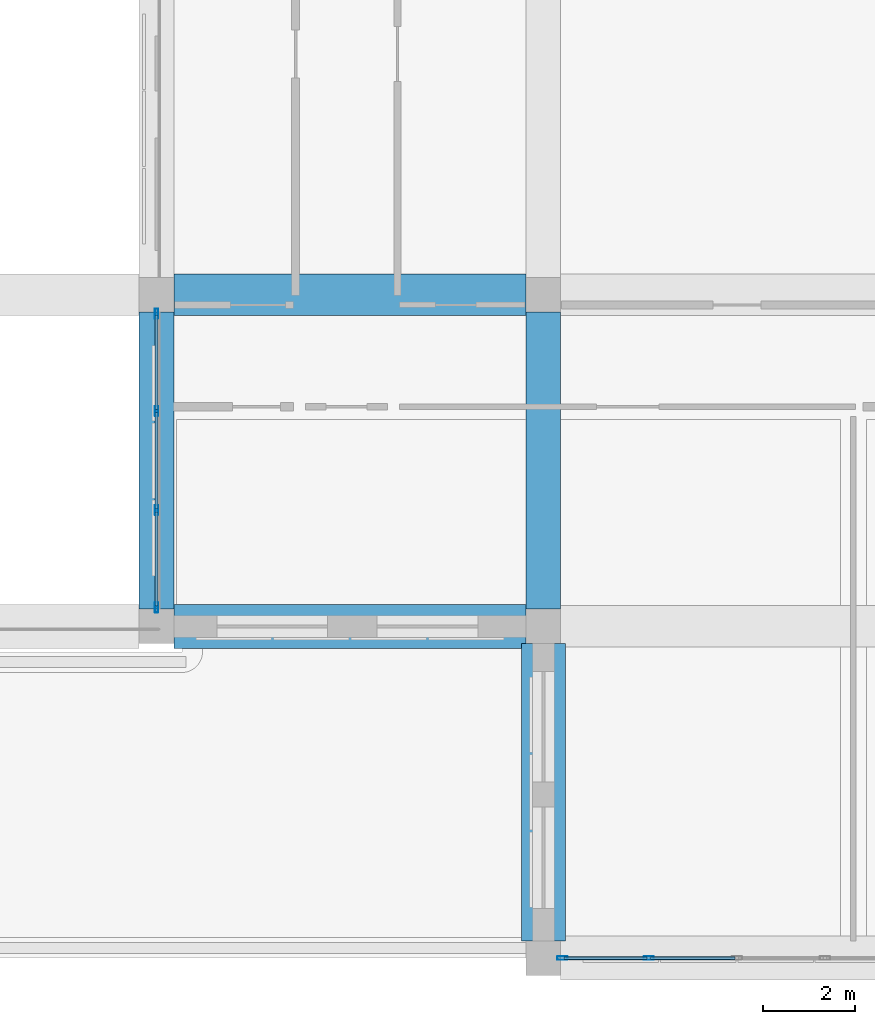
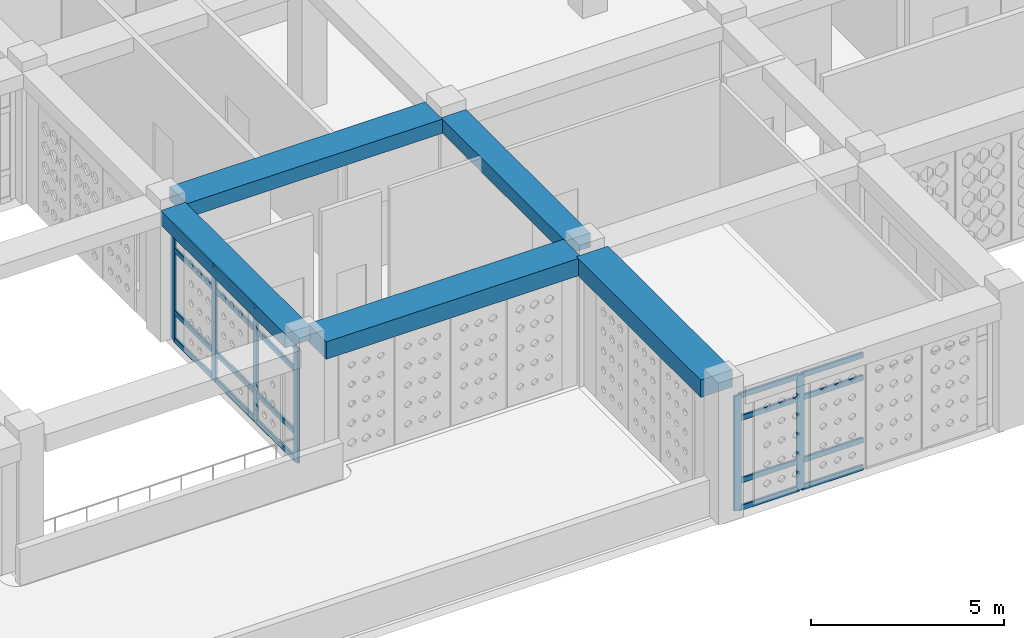
# One storey, part 14 of 111: 26 members, 5 beams, 2 elements without a shape of their own.
"""IFC4 building model written with IfcOpenShell, lengths in metres."""

from ifc_helpers import new_model, si_unit, derived_unit, direction, frame, origin, origin_2d, place, context, subcontext, project, spatial, rectangle, hollow_rectangle, extrude, material, material_profile, profile_set, type_object, element, aggregate, save


model = new_model("IFC4")

# Units and contexts
model_context = context("Model", 3, precision=1e-05, world=origin(), true_north=direction((0.0, 1.0)))
body_context = subcontext(model_context, "Body", "Model", "MODEL_VIEW")
ifc_project = project(units=[si_unit("LENGTHUNIT", "METRE"), si_unit("AREAUNIT", "SQUARE_METRE"), si_unit("VOLUMEUNIT", "CUBIC_METRE"), si_unit("PLANEANGLEUNIT", "RADIAN"), si_unit("MASSUNIT", "GRAM", prefix="KILO"), derived_unit("THERMALTRANSMITTANCEUNIT", [(si_unit("POWERUNIT", "WATT"), 1), (si_unit("LENGTHUNIT", "METRE"), -2), (si_unit("THERMODYNAMICTEMPERATUREUNIT", "KELVIN"), -1)])], contexts=[model_context])

# Site, building, storey
site_placement = place(None, origin())
site = spatial("IfcSite", under=ifc_project, at=site_placement, CompositionType="ELEMENT")
building_placement = place(site_placement, origin())
building = spatial("IfcBuilding", under=site, at=building_placement, Name="Veybourne Emporium", CompositionType="ELEMENT")
storey_placement = place(building_placement, frame((0.0, 0.0, 9.89990234375)))
storey = spatial("IfcBuildingStorey", under=building, at=storey_placement, Name="L02", CompositionType="ELEMENT", Elevation=9.89990234375)

# Curtain wall, members
ifc_material_1 = material(Name="Patinated Architectural Bronze", Category="bronze")
curtain_wall_type_1 = type_object("IfcCurtainWallType", Name="CWSystem_CWS-17", PredefinedType="NOTDEFINED", material=ifc_material_1)
curtain_wall_1_placement = place(storey_placement, origin())
curtain_wall_1 = element("IfcCurtainWall", 1, at=curtain_wall_1_placement, inside=storey, type_object=curtain_wall_type_1, Name="L02 bronze glazed curtain wall CWS-17 (039)", PredefinedType="NOTDEFINED")
ifc_material_profile_1 = material_profile(ifc_material_1, hollow_rectangle(XDim=0.072021484375, YDim=0.22509765625, WallThickness=0.0048828125, InnerFilletRadius=0.007568359375, OuterFilletRadius=0.012451171875, at=origin_2d()), Name="CWM 72x225x5")
ifc_profile_set_1 = profile_set([ifc_material_profile_1], Name="Patinated Architectural Bronze")
member_type_1 = type_object("IfcMemberType", Name="CWMullion_CW-M1", PredefinedType="MULLION", material=ifc_profile_set_1)
member_1_placement = place(storey_placement, frame((77.887451171875, 0.0, 0.0), z_axis=(0.0, 0.0, 1.0), x_axis=(0.0, -1.0, 0.0)))
member_1 = element("IfcMember", 2, at=member_1_placement, type_object=member_type_1, Name="CWS-17 mullion 4", PredefinedType="MULLION", context=body_context, shape_type="SweptSolid", body=[
    extrude(hollow_rectangle(XDim=0.072021484375, YDim=0.22509765625, WallThickness=0.0048828125, InnerFilletRadius=0.007568359375, OuterFilletRadius=0.012451171875, at=origin_2d()), origin(), (0.0, 0.0, 1.0), 3.630126953125),
])
member_2_placement = place(storey_placement, frame((76.010986328125, 0.0, 0.0), z_axis=(0.0, 0.0, 1.0), x_axis=(0.0, -1.0, 0.0)))
member_2 = element("IfcMember", 3, at=member_2_placement, type_object=member_type_1, Name="CWS-17 mullion 5", PredefinedType="MULLION", context=body_context, shape_type="SweptSolid", body=[
    extrude(hollow_rectangle(XDim=0.072021484375, YDim=0.22509765625, WallThickness=0.0048828125, InnerFilletRadius=0.007568359375, OuterFilletRadius=0.012451171875, at=origin_2d()), origin(), (0.0, 0.0, 1.0), 3.630126953125),
])

curtain_wall_type_2 = type_object("IfcCurtainWallType", Name="CWSystem_CWS-16", PredefinedType="NOTDEFINED", material=ifc_material_1)
curtain_wall_2_placement = place(storey_placement, origin())
curtain_wall_2 = element("IfcCurtainWall", 4, at=curtain_wall_2_placement, inside=storey, type_object=curtain_wall_type_2, Name="L02 bronze glazed curtain wall CWS-16 (036)", PredefinedType="NOTDEFINED")
ifc_material_profile_2 = material_profile(ifc_material_1, hollow_rectangle(XDim=0.070068359375, YDim=0.219970703125, WallThickness=0.0048828125, InnerFilletRadius=0.007568359375, OuterFilletRadius=0.012451171875, at=origin_2d()), Name="CWM 70x220x5")
ifc_profile_set_2 = profile_set([ifc_material_profile_2], Name="Patinated Architectural Bronze")
member_type_2 = type_object("IfcMemberType", Name="CWMullion_CW-M4", PredefinedType="MULLION", material=ifc_profile_set_2)
member_3_placement = place(storey_placement, frame((67.199951171875, 7.610107421875, 0.0), z_axis=(0.0, 0.0, 1.0), x_axis=(-1.0, 0.0, 0.0)))
member_3 = element("IfcMember", 5, at=member_3_placement, type_object=member_type_2, Name="CWS-16 mullion 1", PredefinedType="MULLION", context=body_context, shape_type="SweptSolid", body=[
    extrude(hollow_rectangle(XDim=0.070068359375, YDim=0.219970703125, WallThickness=0.0048828125, InnerFilletRadius=0.007568359375, OuterFilletRadius=0.012451171875, at=origin_2d()), origin(), (0.0, 0.0, 1.0), 3.630126953125),
])
member_4_placement = place(storey_placement, frame((67.199951171875, 9.72509765625, 0.0), z_axis=(0.0, 0.0, 1.0), x_axis=(-1.0, 0.0, 0.0)))
member_4 = element("IfcMember", 6, at=member_4_placement, type_object=member_type_2, Name="CWS-16 mullion 2", PredefinedType="MULLION", context=body_context, shape_type="SweptSolid", body=[
    extrude(hollow_rectangle(XDim=0.070068359375, YDim=0.219970703125, WallThickness=0.0048828125, InnerFilletRadius=0.007568359375, OuterFilletRadius=0.012451171875, at=origin_2d()), origin(), (0.0, 0.0, 1.0), 3.630126953125),
])
member_5_placement = place(storey_placement, frame((67.199951171875, 11.875, 0.0), z_axis=(0.0, 0.0, 1.0), x_axis=(-1.0, 0.0, 0.0)))
member_5 = element("IfcMember", 7, at=member_5_placement, type_object=member_type_2, Name="CWS-16 mullion 3", PredefinedType="MULLION", context=body_context, shape_type="SweptSolid", body=[
    extrude(hollow_rectangle(XDim=0.070068359375, YDim=0.219970703125, WallThickness=0.0048828125, InnerFilletRadius=0.007568359375, OuterFilletRadius=0.012451171875, at=origin_2d()), origin(), (0.0, 0.0, 1.0), 3.630126953125),
])
member_6_placement = place(storey_placement, frame((67.199951171875, 13.989990234375, 0.0), z_axis=(0.0, 0.0, 1.0), x_axis=(-1.0, 0.0, 0.0)))
member_6 = element("IfcMember", 8, at=member_6_placement, type_object=member_type_2, Name="CWS-16 mullion 4", PredefinedType="MULLION", context=body_context, shape_type="SweptSolid", body=[
    extrude(hollow_rectangle(XDim=0.070068359375, YDim=0.219970703125, WallThickness=0.0048828125, InnerFilletRadius=0.007568359375, OuterFilletRadius=0.012451171875, at=origin_2d()), origin(), (0.0, 0.0, 1.0), 3.630126953125),
])

# Member
ifc_material_profile_3 = material_profile(ifc_material_1, hollow_rectangle(XDim=0.072021484375, YDim=0.175048828125, WallThickness=0.0048828125, InnerFilletRadius=0.007568359375, OuterFilletRadius=0.012451171875, at=origin_2d()), Name="CWT 72x175x5")
ifc_profile_set_3 = profile_set([ifc_material_profile_3], Name="Patinated Architectural Bronze")
member_type_3 = type_object("IfcMemberType", Name="CWTransom_CW-T1", PredefinedType="NOTDEFINED", material=ifc_profile_set_3)
member_7_placement = place(storey_placement, frame((79.763916015625, 0.0, 0.0361328125), z_axis=(-1.0, 0.0, 0.0), x_axis=(0.0, -1.0, 0.0)))
member_7 = element("IfcMember", 9, at=member_7_placement, type_object=member_type_3, Name="CWS-17 transom 3.1", ObjectType="TRANSOM", PredefinedType="USERDEFINED", context=body_context, shape_type="SweptSolid", body=[
    extrude(hollow_rectangle(XDim=0.072021484375, YDim=0.175048828125, WallThickness=0.0048828125, InnerFilletRadius=0.007568359375, OuterFilletRadius=0.012451171875, at=origin_2d()), origin(), (0.0, 0.0, 1.0), 1.84033203125),
])

member_8_placement = place(storey_placement, frame((79.763916015625, 0.0, 0.900146484375), z_axis=(-1.0, 0.0, 0.0), x_axis=(0.0, -1.0, 0.0)))
member_8 = element("IfcMember", 10, at=member_8_placement, type_object=member_type_3, Name="CWS-17 transom 3.2", ObjectType="TRANSOM", PredefinedType="USERDEFINED", context=body_context, shape_type="SweptSolid", body=[
    extrude(hollow_rectangle(XDim=0.072021484375, YDim=0.175048828125, WallThickness=0.0048828125, InnerFilletRadius=0.007568359375, OuterFilletRadius=0.012451171875, at=origin_2d()), origin(), (0.0, 0.0, 1.0), 1.84033203125),
])

member_9_placement = place(storey_placement, frame((79.763916015625, 0.0, 2.880126953125), z_axis=(-1.0, 0.0, 0.0), x_axis=(0.0, -1.0, 0.0)))
member_9 = element("IfcMember", 11, at=member_9_placement, type_object=member_type_3, Name="CWS-17 transom 3.3", ObjectType="TRANSOM", PredefinedType="USERDEFINED", context=body_context, shape_type="SweptSolid", body=[
    extrude(hollow_rectangle(XDim=0.072021484375, YDim=0.175048828125, WallThickness=0.0048828125, InnerFilletRadius=0.007568359375, OuterFilletRadius=0.012451171875, at=origin_2d()), origin(), (0.0, 0.0, 1.0), 1.84033203125),
])

member_10_placement = place(storey_placement, frame((79.763916015625, 0.0, 3.593994140625), z_axis=(-1.0, 0.0, 0.0), x_axis=(0.0, -1.0, 0.0)))
member_10 = element("IfcMember", 12, at=member_10_placement, type_object=member_type_3, Name="CWS-17 transom 3.4", ObjectType="TRANSOM", PredefinedType="USERDEFINED", context=body_context, shape_type="SweptSolid", body=[
    extrude(hollow_rectangle(XDim=0.072021484375, YDim=0.175048828125, WallThickness=0.0048828125, InnerFilletRadius=0.007568359375, OuterFilletRadius=0.012451171875, at=origin_2d()), origin(), (0.0, 0.0, 1.0), 1.84033203125),
])

member_11_placement = place(storey_placement, frame((77.8515625, 0.0, 0.0361328125), z_axis=(-1.0, 0.0, 0.0), x_axis=(0.0, -1.0, 0.0)))
member_11 = element("IfcMember", 13, at=member_11_placement, type_object=member_type_3, Name="CWS-17 transom 4.1", ObjectType="TRANSOM", PredefinedType="USERDEFINED", context=body_context, shape_type="SweptSolid", body=[
    extrude(hollow_rectangle(XDim=0.072021484375, YDim=0.175048828125, WallThickness=0.0048828125, InnerFilletRadius=0.007568359375, OuterFilletRadius=0.012451171875, at=origin_2d()), origin(), (0.0, 0.0, 1.0), 1.804443359375),
])

member_12_placement = place(storey_placement, frame((77.8515625, 0.0, 0.900146484375), z_axis=(-1.0, 0.0, 0.0), x_axis=(0.0, -1.0, 0.0)))
member_12 = element("IfcMember", 14, at=member_12_placement, type_object=member_type_3, Name="CWS-17 transom 4.2", ObjectType="TRANSOM", PredefinedType="USERDEFINED", context=body_context, shape_type="SweptSolid", body=[
    extrude(hollow_rectangle(XDim=0.072021484375, YDim=0.175048828125, WallThickness=0.0048828125, InnerFilletRadius=0.007568359375, OuterFilletRadius=0.012451171875, at=origin_2d()), origin(), (0.0, 0.0, 1.0), 1.804443359375),
])

member_13_placement = place(storey_placement, frame((77.8515625, 0.0, 2.880126953125), z_axis=(-1.0, 0.0, 0.0), x_axis=(0.0, -1.0, 0.0)))
member_13 = element("IfcMember", 15, at=member_13_placement, type_object=member_type_3, Name="CWS-17 transom 4.3", ObjectType="TRANSOM", PredefinedType="USERDEFINED", context=body_context, shape_type="SweptSolid", body=[
    extrude(hollow_rectangle(XDim=0.072021484375, YDim=0.175048828125, WallThickness=0.0048828125, InnerFilletRadius=0.007568359375, OuterFilletRadius=0.012451171875, at=origin_2d()), origin(), (0.0, 0.0, 1.0), 1.804443359375),
])

member_14_placement = place(storey_placement, frame((77.8515625, 0.0, 3.593994140625), z_axis=(-1.0, 0.0, 0.0), x_axis=(0.0, -1.0, 0.0)))
member_14 = element("IfcMember", 16, at=member_14_placement, type_object=member_type_3, Name="CWS-17 transom 4.4", ObjectType="TRANSOM", PredefinedType="USERDEFINED", context=body_context, shape_type="SweptSolid", body=[
    extrude(hollow_rectangle(XDim=0.072021484375, YDim=0.175048828125, WallThickness=0.0048828125, InnerFilletRadius=0.007568359375, OuterFilletRadius=0.012451171875, at=origin_2d()), origin(), (0.0, 0.0, 1.0), 1.804443359375),
])

aggregate(curtain_wall_1, [member_1, member_2, member_7, member_8, member_9, member_10, member_11, member_12, member_13, member_14])

ifc_material_profile_4 = material_profile(ifc_material_1, hollow_rectangle(XDim=0.070068359375, YDim=0.169921875, WallThickness=0.0048828125, InnerFilletRadius=0.007568359375, OuterFilletRadius=0.012451171875, at=origin_2d()), Name="CWT 70x170x5")
ifc_profile_set_4 = profile_set([ifc_material_profile_4], Name="Patinated Architectural Bronze")
member_type_4 = type_object("IfcMemberType", Name="CWTransom_CW-T4", PredefinedType="NOTDEFINED", material=ifc_profile_set_4)
member_15_placement = place(storey_placement, frame((67.199951171875, 7.64501953125, 0.03515625), z_axis=(0.0, 1.0, 0.0), x_axis=(-1.0, 0.0, 0.0)))
member_15 = element("IfcMember", 17, at=member_15_placement, type_object=member_type_4, Name="CWS-16 transom 1.1", ObjectType="TRANSOM", PredefinedType="USERDEFINED", context=body_context, shape_type="SweptSolid", body=[
    extrude(hollow_rectangle(XDim=0.070068359375, YDim=0.169921875, WallThickness=0.0048828125, InnerFilletRadius=0.007568359375, OuterFilletRadius=0.012451171875, at=origin_2d()), origin(), (0.0, 0.0, 1.0), 2.044921875),
])

member_16_placement = place(storey_placement, frame((67.199951171875, 7.64501953125, 0.900146484375), z_axis=(0.0, 1.0, 0.0), x_axis=(-1.0, 0.0, 0.0)))
member_16 = element("IfcMember", 18, at=member_16_placement, type_object=member_type_4, Name="CWS-16 transom 1.2", ObjectType="TRANSOM", PredefinedType="USERDEFINED", context=body_context, shape_type="SweptSolid", body=[
    extrude(hollow_rectangle(XDim=0.070068359375, YDim=0.169921875, WallThickness=0.0048828125, InnerFilletRadius=0.007568359375, OuterFilletRadius=0.012451171875, at=origin_2d()), origin(), (0.0, 0.0, 1.0), 2.044921875),
])

member_17_placement = place(storey_placement, frame((67.199951171875, 7.64501953125, 2.880126953125), z_axis=(0.0, 1.0, 0.0), x_axis=(-1.0, 0.0, 0.0)))
member_17 = element("IfcMember", 19, at=member_17_placement, type_object=member_type_4, Name="CWS-16 transom 1.3", ObjectType="TRANSOM", PredefinedType="USERDEFINED", context=body_context, shape_type="SweptSolid", body=[
    extrude(hollow_rectangle(XDim=0.070068359375, YDim=0.169921875, WallThickness=0.0048828125, InnerFilletRadius=0.007568359375, OuterFilletRadius=0.012451171875, at=origin_2d()), origin(), (0.0, 0.0, 1.0), 2.044921875),
])

member_18_placement = place(storey_placement, frame((67.199951171875, 7.64501953125, 3.59521484375), z_axis=(0.0, 1.0, 0.0), x_axis=(-1.0, 0.0, 0.0)))
member_18 = element("IfcMember", 20, at=member_18_placement, type_object=member_type_4, Name="CWS-16 transom 1.4", ObjectType="TRANSOM", PredefinedType="USERDEFINED", context=body_context, shape_type="SweptSolid", body=[
    extrude(hollow_rectangle(XDim=0.070068359375, YDim=0.169921875, WallThickness=0.0048828125, InnerFilletRadius=0.007568359375, OuterFilletRadius=0.012451171875, at=origin_2d()), origin(), (0.0, 0.0, 1.0), 2.044921875),
])

member_19_placement = place(storey_placement, frame((67.199951171875, 9.760009765625, 0.03515625), z_axis=(0.0, 1.0, 0.0), x_axis=(-1.0, 0.0, 0.0)))
member_19 = element("IfcMember", 21, at=member_19_placement, type_object=member_type_4, Name="CWS-16 transom 2.1", ObjectType="TRANSOM", PredefinedType="USERDEFINED", context=body_context, shape_type="SweptSolid", body=[
    extrude(hollow_rectangle(XDim=0.070068359375, YDim=0.169921875, WallThickness=0.0048828125, InnerFilletRadius=0.007568359375, OuterFilletRadius=0.012451171875, at=origin_2d()), origin(), (0.0, 0.0, 1.0), 2.080078125),
])

member_20_placement = place(storey_placement, frame((67.199951171875, 9.760009765625, 0.900146484375), z_axis=(0.0, 1.0, 0.0), x_axis=(-1.0, 0.0, 0.0)))
member_20 = element("IfcMember", 22, at=member_20_placement, type_object=member_type_4, Name="CWS-16 transom 2.2", ObjectType="TRANSOM", PredefinedType="USERDEFINED", context=body_context, shape_type="SweptSolid", body=[
    extrude(hollow_rectangle(XDim=0.070068359375, YDim=0.169921875, WallThickness=0.0048828125, InnerFilletRadius=0.007568359375, OuterFilletRadius=0.012451171875, at=origin_2d()), origin(), (0.0, 0.0, 1.0), 2.080078125),
])

member_21_placement = place(storey_placement, frame((67.199951171875, 9.760009765625, 2.880126953125), z_axis=(0.0, 1.0, 0.0), x_axis=(-1.0, 0.0, 0.0)))
member_21 = element("IfcMember", 23, at=member_21_placement, type_object=member_type_4, Name="CWS-16 transom 2.3", ObjectType="TRANSOM", PredefinedType="USERDEFINED", context=body_context, shape_type="SweptSolid", body=[
    extrude(hollow_rectangle(XDim=0.070068359375, YDim=0.169921875, WallThickness=0.0048828125, InnerFilletRadius=0.007568359375, OuterFilletRadius=0.012451171875, at=origin_2d()), origin(), (0.0, 0.0, 1.0), 2.080078125),
])

member_22_placement = place(storey_placement, frame((67.199951171875, 9.760009765625, 3.59521484375), z_axis=(0.0, 1.0, 0.0), x_axis=(-1.0, 0.0, 0.0)))
member_22 = element("IfcMember", 24, at=member_22_placement, type_object=member_type_4, Name="CWS-16 transom 2.4", ObjectType="TRANSOM", PredefinedType="USERDEFINED", context=body_context, shape_type="SweptSolid", body=[
    extrude(hollow_rectangle(XDim=0.070068359375, YDim=0.169921875, WallThickness=0.0048828125, InnerFilletRadius=0.007568359375, OuterFilletRadius=0.012451171875, at=origin_2d()), origin(), (0.0, 0.0, 1.0), 2.080078125),
])

member_23_placement = place(storey_placement, frame((67.199951171875, 11.909912109375, 0.03515625), z_axis=(0.0, 1.0, 0.0), x_axis=(-1.0, 0.0, 0.0)))
member_23 = element("IfcMember", 25, at=member_23_placement, type_object=member_type_4, Name="CWS-16 transom 3.1", ObjectType="TRANSOM", PredefinedType="USERDEFINED", context=body_context, shape_type="SweptSolid", body=[
    extrude(hollow_rectangle(XDim=0.070068359375, YDim=0.169921875, WallThickness=0.0048828125, InnerFilletRadius=0.007568359375, OuterFilletRadius=0.012451171875, at=origin_2d()), origin(), (0.0, 0.0, 1.0), 2.045166015625),
])

member_24_placement = place(storey_placement, frame((67.199951171875, 11.909912109375, 0.900146484375), z_axis=(0.0, 1.0, 0.0), x_axis=(-1.0, 0.0, 0.0)))
member_24 = element("IfcMember", 26, at=member_24_placement, type_object=member_type_4, Name="CWS-16 transom 3.2", ObjectType="TRANSOM", PredefinedType="USERDEFINED", context=body_context, shape_type="SweptSolid", body=[
    extrude(hollow_rectangle(XDim=0.070068359375, YDim=0.169921875, WallThickness=0.0048828125, InnerFilletRadius=0.007568359375, OuterFilletRadius=0.012451171875, at=origin_2d()), origin(), (0.0, 0.0, 1.0), 2.045166015625),
])

member_25_placement = place(storey_placement, frame((67.199951171875, 11.909912109375, 2.880126953125), z_axis=(0.0, 1.0, 0.0), x_axis=(-1.0, 0.0, 0.0)))
member_25 = element("IfcMember", 27, at=member_25_placement, type_object=member_type_4, Name="CWS-16 transom 3.3", ObjectType="TRANSOM", PredefinedType="USERDEFINED", context=body_context, shape_type="SweptSolid", body=[
    extrude(hollow_rectangle(XDim=0.070068359375, YDim=0.169921875, WallThickness=0.0048828125, InnerFilletRadius=0.007568359375, OuterFilletRadius=0.012451171875, at=origin_2d()), origin(), (0.0, 0.0, 1.0), 2.045166015625),
])

member_26_placement = place(storey_placement, frame((67.199951171875, 11.909912109375, 3.59521484375), z_axis=(0.0, 1.0, 0.0), x_axis=(-1.0, 0.0, 0.0)))
member_26 = element("IfcMember", 28, at=member_26_placement, type_object=member_type_4, Name="CWS-16 transom 3.4", ObjectType="TRANSOM", PredefinedType="USERDEFINED", context=body_context, shape_type="SweptSolid", body=[
    extrude(hollow_rectangle(XDim=0.070068359375, YDim=0.169921875, WallThickness=0.0048828125, InnerFilletRadius=0.007568359375, OuterFilletRadius=0.012451171875, at=origin_2d()), origin(), (0.0, 0.0, 1.0), 2.045166015625),
])

aggregate(curtain_wall_2, [member_3, member_4, member_5, member_6, member_15, member_16, member_17, member_18, member_19, member_20, member_21, member_22, member_23, member_24, member_25, member_26])

# Beams
ifc_material_2 = material(Name="Concrete C32/40", Category="concrete")
ifc_material_profile_5 = material_profile(ifc_material_2, rectangle(XDim=0.89990234375, YDim=0.449951171875, at=origin_2d()), Name="RC 900x450")
ifc_profile_set_5 = profile_set([ifc_material_profile_5], Name="Concrete C32/40")
beam_type_1 = type_object("IfcBeamType", Name="RCBeam_BB-03", PredefinedType="BEAM", material=ifc_profile_set_5)
beam_1_placement = place(storey_placement, frame((67.574951171875, 14.39990234375, 3.955078125), z_axis=(1.0, 0.0, 0.0), x_axis=(0.0, 1.0, 0.0)))
element("IfcBeam", 29, at=beam_1_placement, inside=storey, type_object=beam_type_1, Name="L02 X-grid beam BB-03 (8,2)", PredefinedType="BEAM", context=body_context, shape_type="SweptSolid", body=[
    extrude(rectangle(XDim=0.89990234375, YDim=0.449951171875, at=origin_2d()), origin(), (0.0, 0.0, 1.0), 7.650146484375),
])
ifc_material_profile_6 = material_profile(ifc_material_2, rectangle(XDim=0.75, YDim=0.449951171875, at=origin_2d()), Name="RC 750x450")
ifc_profile_set_6 = profile_set([ifc_material_profile_6], Name="Concrete C32/40")
beam_type_2 = type_object("IfcBeamType", Name="RCBeam_BB-04", PredefinedType="BEAM", material=ifc_profile_set_6)
for number, where, z_axis, x_axis, name in (
    (30, (67.199951171875, 7.574951171875, 3.955078125), (0.0, 1.0, 0.0), (-1.0, 0.0, 0.0), "L02 Y-grid beam BB-04 (8,1)"),
    (31, (75.60009765625, 7.574951171875, 3.955078125), (0.0, 1.0, 0.0), (-1.0, 0.0, 0.0), "L02 Y-grid beam BB-04 (9,1)"),
):
    element("IfcBeam", number, at=place(storey_placement, frame(where, z_axis=z_axis, x_axis=x_axis)), inside=storey, type_object=beam_type_2, Name=name, PredefinedType="BEAM", context=body_context, shape_type="SweptSolid", body=[
        extrude(rectangle(XDim=0.75, YDim=0.449951171875, at=origin_2d()), origin(), (0.0, 0.0, 1.0), 6.449951171875),
    ])
ifc_material_profile_7 = material_profile(ifc_material_2, rectangle(XDim=0.949951171875, YDim=0.550048828125, at=origin_2d()), Name="RC 950x550")
ifc_profile_set_7 = profile_set([ifc_material_profile_7], Name="Concrete C32/40")
beam_type_3 = type_object("IfcBeamType", Name="RCBeam_EB-01", PredefinedType="SPANDREL", material=ifc_profile_set_7)
beam_2_placement = place(storey_placement, frame((67.574951171875, 7.199951171875, 3.905029296875), z_axis=(1.0, 0.0, 0.0), x_axis=(0.0, 1.0, 0.0)))
element("IfcBeam", 32, at=beam_2_placement, inside=storey, type_object=beam_type_3, Name="L02 X-grid beam EB-01 (8,1)", PredefinedType="SPANDREL", context=body_context, shape_type="SweptSolid", body=[
    extrude(rectangle(XDim=0.949951171875, YDim=0.550048828125, at=origin_2d()), origin(), (0.0, 0.0, 1.0), 7.650146484375),
])
beam_3_placement = place(storey_placement, frame((75.60009765625, 0.375, 3.905029296875), z_axis=(0.0, 1.0, 0.0), x_axis=(-1.0, 0.0, 0.0)))
element("IfcBeam", 33, at=beam_3_placement, inside=storey, type_object=beam_type_3, Name="L02 Y-grid beam EB-01 (9,0)", PredefinedType="SPANDREL", context=body_context, shape_type="SweptSolid", body=[
    extrude(rectangle(XDim=0.949951171875, YDim=0.550048828125, at=origin_2d()), origin(), (0.0, 0.0, 1.0), 6.449951171875),
])

save(model, "model.ifc")
